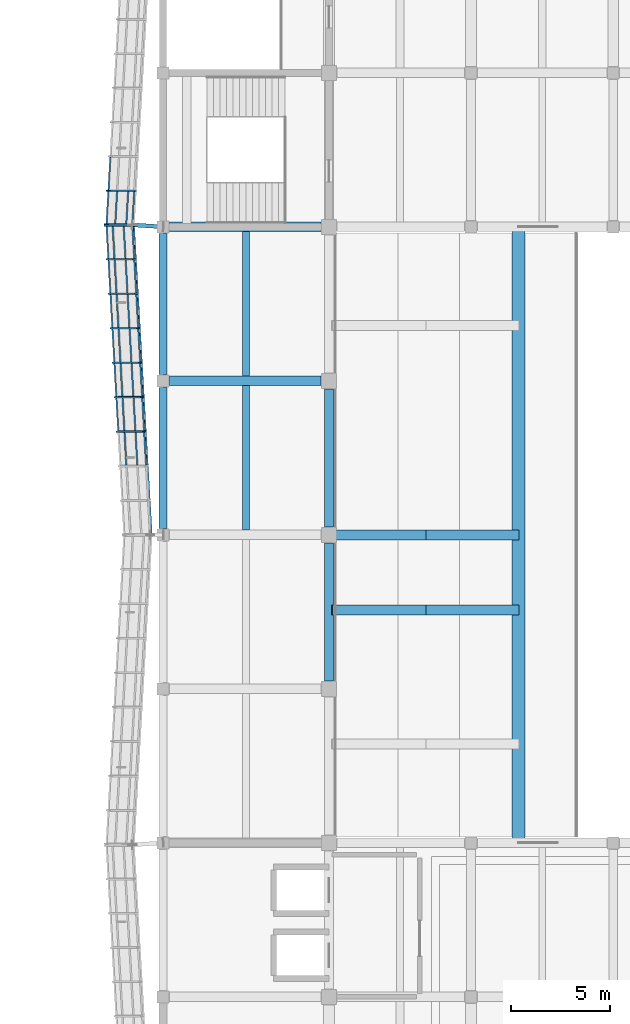
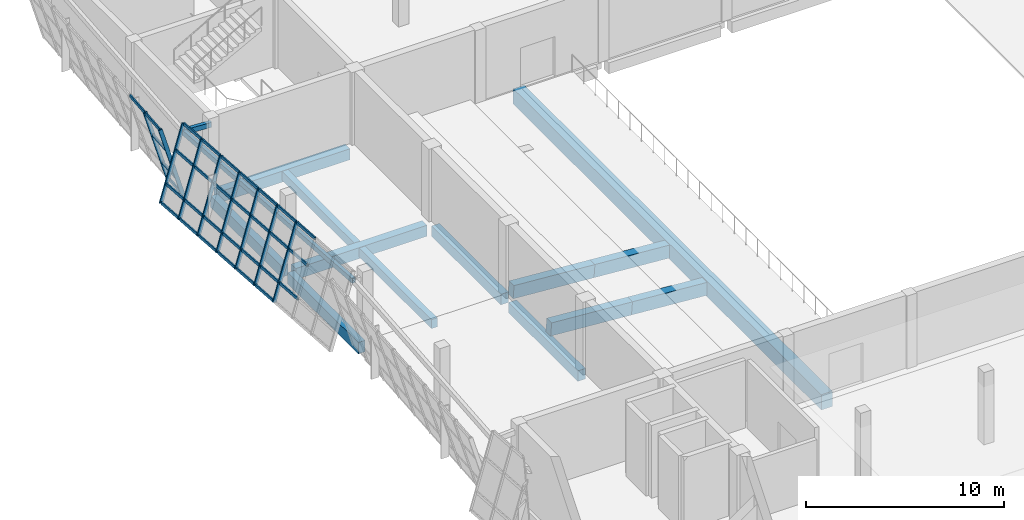
# One storey, part 13 of 71: 41 members, 15 beams, 2 elements without a shape of their own.
"""IFC4 building model written with IfcOpenShell, lengths in metres."""

from ifc_helpers import new_model, si_unit, direction, frame, origin, origin_2d, place, context, subcontext, project, spatial, rectangle, hollow_rectangle, extrude, material, material_profile, profile_set, type_object, element, aggregate, save


model = new_model("IFC4")

# Units and contexts
model_context = context("Model", 3, precision=1e-05, world=origin(), true_north=direction((0.0, 1.0)))
body_context = subcontext(model_context, "Body", "Model", "MODEL_VIEW")
ifc_project = project(units=[si_unit("LENGTHUNIT", "METRE"), si_unit("AREAUNIT", "SQUARE_METRE"), si_unit("VOLUMEUNIT", "CUBIC_METRE"), si_unit("PLANEANGLEUNIT", "RADIAN"), si_unit("MASSUNIT", "GRAM", prefix="KILO")], contexts=[model_context])

# Site, building, storey
site_placement = place(None, origin())
site = spatial("IfcSite", under=ifc_project, at=site_placement, CompositionType="ELEMENT")
building_placement = place(site_placement, origin())
building = spatial("IfcBuilding", under=site, at=building_placement, Name="Pellamere Symphony Hall", CompositionType="ELEMENT")
storey_placement = place(building_placement, frame((0.0, 0.0, 15.0)))
storey = spatial("IfcBuildingStorey", under=building, at=storey_placement, Name="L03", CompositionType="ELEMENT", Elevation=15.0)

# Curtain wall, members
ifc_material_1 = material(Name="Thermally Broken Anodised Aluminium 6063-T6 Curtain Wall", Category="aluminium")
curtain_wall_type = type_object("IfcCurtainWallType", Name="Curtain Wall CW-01 (Tilted Faceted Crystal Low-Iron Curtain Wall)", PredefinedType="NOTDEFINED", material=ifc_material_1)
curtain_wall_1_placement = place(storey_placement, origin())
curtain_wall_1 = element("IfcCurtainWall", 1, at=curtain_wall_1_placement, inside=storey, type_object=curtain_wall_type, Name="Crystal Faceted Curtain Wall CW-CR15 (L03)", PredefinedType="NOTDEFINED")
ifc_material_2 = material(Name="Anodised Architectural Aluminium 6063-T6", Category="aluminium")
ifc_material_profile_1 = material_profile(ifc_material_2, hollow_rectangle(XDim=0.074951171875, YDim=0.219970703125, WallThickness=0.0048828125, at=origin_2d()), Name="ALU-M75X220X5")
ifc_profile_set_1 = profile_set([ifc_material_profile_1], Name="Anodised Architectural Aluminium 6063-T6")
member_type_1 = type_object("IfcMemberType", Name="Curtain Wall Mullion ML-01 ALU-M75X220X5", PredefinedType="MULLION", material=ifc_profile_set_1)
member_1_placement = place(storey_placement, frame((48.949951171875, 79.2333984375, 0.0), z_axis=(-0.284024567884, 0.0, 0.95881700279), x_axis=(-0.055224537145, -0.998339941676, -0.01635883099)))
member_1 = element("IfcMember", 2, at=member_1_placement, type_object=member_type_1, Name="CW1-040 crystal mullion 9", PredefinedType="MULLION", context=body_context, shape_type="SweptSolid", body=[
    extrude(hollow_rectangle(XDim=0.074951171875, YDim=0.219970703125, WallThickness=0.0048828125, at=origin_2d()), origin(), (0.0, 0.0, 1.0), 4.693359375),
])
member_2_placement = place(storey_placement, frame((48.85205078125, 77.537353515625, 0.0), z_axis=(-0.284024567884, 0.0, 0.95881700279), x_axis=(-0.055224537145, -0.998339941676, -0.01635883099)))
member_2 = element("IfcMember", 3, at=member_2_placement, type_object=member_type_1, Name="CW1-040 crystal mullion 10", PredefinedType="MULLION", context=body_context, shape_type="SweptSolid", body=[
    extrude(hollow_rectangle(XDim=0.074951171875, YDim=0.219970703125, WallThickness=0.0048828125, at=origin_2d()), origin(), (0.0, 0.0, 1.0), 4.693359375),
])

curtain_wall_2_placement = place(storey_placement, origin())
curtain_wall_2 = element("IfcCurtainWall", 4, at=curtain_wall_2_placement, inside=storey, type_object=curtain_wall_type, Name="Crystal Faceted Curtain Wall CW-CR16 (L03)", PredefinedType="NOTDEFINED")
member_3_placement = place(storey_placement, frame((47.51904296875, 77.462646484375, 0.0), z_axis=(0.284024567884, 0.0, 0.95881700279), x_axis=(-0.054873944304, 0.99836096977, 0.016254976991)))
member_3 = element("IfcMember", 5, at=member_3_placement, type_object=member_type_1, Name="CW1-045 crystal mullion 1", PredefinedType="MULLION", context=body_context, shape_type="SweptSolid", body=[
    extrude(hollow_rectangle(XDim=0.074951171875, YDim=0.219970703125, WallThickness=0.0048828125, at=origin_2d()), origin(), (0.0, 0.0, 1.0), 4.693359375),
])
member_4_placement = place(storey_placement, frame((47.616943359375, 75.755615234375, 0.0), z_axis=(0.284024567884, 0.0, 0.95881700279), x_axis=(-0.054873944304, 0.99836096977, 0.016254976991)))
member_4 = element("IfcMember", 6, at=member_4_placement, type_object=member_type_1, Name="CW1-045 crystal mullion 2", PredefinedType="MULLION", context=body_context, shape_type="SweptSolid", body=[
    extrude(hollow_rectangle(XDim=0.074951171875, YDim=0.219970703125, WallThickness=0.0048828125, at=origin_2d()), origin(), (0.0, 0.0, 1.0), 4.693359375),
])
member_5_placement = place(storey_placement, frame((47.717041015625, 74.01123046875, 0.0), z_axis=(0.284024567884, 0.0, 0.95881700279), x_axis=(-0.054873944304, 0.99836096977, 0.016254976991)))
member_5 = element("IfcMember", 7, at=member_5_placement, type_object=member_type_1, Name="CW1-045 crystal mullion 3", PredefinedType="MULLION", context=body_context, shape_type="SweptSolid", body=[
    extrude(hollow_rectangle(XDim=0.074951171875, YDim=0.219970703125, WallThickness=0.0048828125, at=origin_2d()), origin(), (0.0, 0.0, 1.0), 4.693359375),
])
member_6_placement = place(storey_placement, frame((47.81689453125, 72.2666015625, 0.0), z_axis=(0.284024567884, 0.0, 0.95881700279), x_axis=(-0.054873944304, 0.99836096977, 0.016254976991)))
member_6 = element("IfcMember", 8, at=member_6_placement, type_object=member_type_1, Name="CW1-045 crystal mullion 4", PredefinedType="MULLION", context=body_context, shape_type="SweptSolid", body=[
    extrude(hollow_rectangle(XDim=0.074951171875, YDim=0.219970703125, WallThickness=0.0048828125, at=origin_2d()), origin(), (0.0, 0.0, 1.0), 4.693359375),
])
member_7_placement = place(storey_placement, frame((47.9169921875, 70.522216796875, 0.0), z_axis=(0.284024567884, 0.0, 0.95881700279), x_axis=(-0.054873944304, 0.99836096977, 0.016254976991)))
member_7 = element("IfcMember", 9, at=member_7_placement, type_object=member_type_1, Name="CW1-045 crystal mullion 5", PredefinedType="MULLION", context=body_context, shape_type="SweptSolid", body=[
    extrude(hollow_rectangle(XDim=0.074951171875, YDim=0.219970703125, WallThickness=0.0048828125, at=origin_2d()), origin(), (0.0, 0.0, 1.0), 4.693359375),
])
member_8_placement = place(storey_placement, frame((48.01708984375, 68.77783203125, 0.0), z_axis=(0.284024567884, 0.0, 0.95881700279), x_axis=(-0.054873944304, 0.99836096977, 0.016254976991)))
member_8 = element("IfcMember", 10, at=member_8_placement, type_object=member_type_1, Name="CW1-045 crystal mullion 6", PredefinedType="MULLION", context=body_context, shape_type="SweptSolid", body=[
    extrude(hollow_rectangle(XDim=0.074951171875, YDim=0.219970703125, WallThickness=0.0048828125, at=origin_2d()), origin(), (0.0, 0.0, 1.0), 4.693359375),
])
member_9_placement = place(storey_placement, frame((48.116943359375, 67.033447265625, 0.0), z_axis=(0.284024567884, 0.0, 0.95881700279), x_axis=(-0.054873944304, 0.99836096977, 0.016254976991)))
member_9 = element("IfcMember", 11, at=member_9_placement, type_object=member_type_1, Name="CW1-045 crystal mullion 7", PredefinedType="MULLION", context=body_context, shape_type="SweptSolid", body=[
    extrude(hollow_rectangle(XDim=0.074951171875, YDim=0.219970703125, WallThickness=0.0048828125, at=origin_2d()), origin(), (0.0, 0.0, 1.0), 4.693359375),
])

# Member
ifc_material_profile_2 = material_profile(ifc_material_2, hollow_rectangle(XDim=0.074951171875, YDim=0.179931640625, WallThickness=0.0048828125, at=origin_2d()), Name="ALU-T75X180X5")
ifc_profile_set_2 = profile_set([ifc_material_profile_2], Name="Anodised Architectural Aluminium 6063-T6")
member_type_2 = type_object("IfcMemberType", Name="Curtain Wall Transom TR-01 ALU-T75X180X5", PredefinedType="USERDEFINED", material=ifc_profile_set_2)
member_10_placement = place(storey_placement, frame((47.7255859375, 80.92919921875, 4.464111328125), z_axis=(-0.057610619545, -0.998339129012, 0.0), x_axis=(0.998339129012, -0.057610619545, 0.0)))
member_10 = element("IfcMember", 12, at=member_10_placement, type_object=member_type_2, Name="CW1-040 crystal transom 8.4", ObjectType="TRANSOM", PredefinedType="USERDEFINED", context=body_context, shape_type="SweptSolid", body=[
    extrude(hollow_rectangle(XDim=0.074951171875, YDim=0.179931640625, WallThickness=0.0048828125, at=origin_2d()), origin(), (0.0, 0.0, 1.0), 1.6611328125),
])

member_11_placement = place(storey_placement, frame((48.937255859375, 79.19580078125, 0.035888671875), z_axis=(-0.057593652861, -0.998340107954, 0.0), x_axis=(0.998340107954, -0.057593652861, 0.0)))
member_11 = element("IfcMember", 13, at=member_11_placement, type_object=member_type_2, Name="CW1-040 crystal transom 9.1", ObjectType="TRANSOM", PredefinedType="USERDEFINED", context=body_context, shape_type="SweptSolid", body=[
    extrude(hollow_rectangle(XDim=0.074951171875, YDim=0.179931640625, WallThickness=0.0048828125, at=origin_2d()), origin(), (0.0, 0.0, 1.0), 1.62353515625),
])

member_12_placement = place(storey_placement, frame((48.6279296875, 79.19580078125, 1.080078125), z_axis=(-0.057593652861, -0.998340107954, 0.0), x_axis=(0.998340107954, -0.057593652861, 0.0)))
member_12 = element("IfcMember", 14, at=member_12_placement, type_object=member_type_2, Name="CW1-040 crystal transom 9.2", ObjectType="TRANSOM", PredefinedType="USERDEFINED", context=body_context, shape_type="SweptSolid", body=[
    extrude(hollow_rectangle(XDim=0.074951171875, YDim=0.179931640625, WallThickness=0.0048828125, at=origin_2d()), origin(), (0.0, 0.0, 1.0), 1.62353515625),
])

member_13_placement = place(storey_placement, frame((48.068115234375, 79.19580078125, 2.969970703125), z_axis=(-0.057593652861, -0.998340107954, 0.0), x_axis=(0.998340107954, -0.057593652861, 0.0)))
member_13 = element("IfcMember", 15, at=member_13_placement, type_object=member_type_2, Name="CW1-040 crystal transom 9.3", ObjectType="TRANSOM", PredefinedType="USERDEFINED", context=body_context, shape_type="SweptSolid", body=[
    extrude(hollow_rectangle(XDim=0.074951171875, YDim=0.179931640625, WallThickness=0.0048828125, at=origin_2d()), origin(), (0.0, 0.0, 1.0), 1.62353515625),
])

member_14_placement = place(storey_placement, frame((47.62548828125, 79.19580078125, 4.464111328125), z_axis=(-0.057593652861, -0.998340107954, 0.0), x_axis=(0.998340107954, -0.057593652861, 0.0)))
member_14 = element("IfcMember", 16, at=member_14_placement, type_object=member_type_2, Name="CW1-040 crystal transom 9.4", ObjectType="TRANSOM", PredefinedType="USERDEFINED", context=body_context, shape_type="SweptSolid", body=[
    extrude(hollow_rectangle(XDim=0.074951171875, YDim=0.179931640625, WallThickness=0.0048828125, at=origin_2d()), origin(), (0.0, 0.0, 1.0), 1.62353515625),
])

aggregate(curtain_wall_1, [member_1, member_2, member_10, member_11, member_12, member_13, member_14])

member_15_placement = place(storey_placement, frame((47.531982421875, 77.425048828125, 0.035888671875), z_axis=(0.057198647566, -0.998362817175, 0.0), x_axis=(0.998362817175, 0.057198647566, 0.0)))
member_15 = element("IfcMember", 17, at=member_15_placement, type_object=member_type_2, Name="CW1-045 crystal transom 1.1", ObjectType="TRANSOM", PredefinedType="USERDEFINED", context=body_context, shape_type="SweptSolid", body=[
    extrude(hollow_rectangle(XDim=0.074951171875, YDim=0.179931640625, WallThickness=0.0048828125, at=origin_2d()), origin(), (0.0, 0.0, 1.0), 1.634765625),
])

member_16_placement = place(storey_placement, frame((47.84130859375, 77.425048828125, 1.080078125), z_axis=(0.057198647566, -0.998362817175, 0.0), x_axis=(0.998362817175, 0.057198647566, 0.0)))
member_16 = element("IfcMember", 18, at=member_16_placement, type_object=member_type_2, Name="CW1-045 crystal transom 1.2", ObjectType="TRANSOM", PredefinedType="USERDEFINED", context=body_context, shape_type="SweptSolid", body=[
    extrude(hollow_rectangle(XDim=0.074951171875, YDim=0.179931640625, WallThickness=0.0048828125, at=origin_2d()), origin(), (0.0, 0.0, 1.0), 1.634765625),
])

member_17_placement = place(storey_placement, frame((48.401123046875, 77.425048828125, 2.969970703125), z_axis=(0.057198647566, -0.998362817175, 0.0), x_axis=(0.998362817175, 0.057198647566, 0.0)))
member_17 = element("IfcMember", 19, at=member_17_placement, type_object=member_type_2, Name="CW1-045 crystal transom 1.3", ObjectType="TRANSOM", PredefinedType="USERDEFINED", context=body_context, shape_type="SweptSolid", body=[
    extrude(hollow_rectangle(XDim=0.074951171875, YDim=0.179931640625, WallThickness=0.0048828125, at=origin_2d()), origin(), (0.0, 0.0, 1.0), 1.634765625),
])

member_18_placement = place(storey_placement, frame((48.84375, 77.425048828125, 4.464111328125), z_axis=(0.057198647566, -0.998362817175, 0.0), x_axis=(0.998362817175, 0.057198647566, 0.0)))
member_18 = element("IfcMember", 20, at=member_18_placement, type_object=member_type_2, Name="CW1-045 crystal transom 1.4", ObjectType="TRANSOM", PredefinedType="USERDEFINED", context=body_context, shape_type="SweptSolid", body=[
    extrude(hollow_rectangle(XDim=0.074951171875, YDim=0.179931640625, WallThickness=0.0048828125, at=origin_2d()), origin(), (0.0, 0.0, 1.0), 1.634765625),
])

member_19_placement = place(storey_placement, frame((47.6298828125, 75.718017578125, 0.035888671875), z_axis=(0.057232737422, -0.998360863499, 0.0), x_axis=(0.998360863499, 0.057232737422, 0.0)))
member_19 = element("IfcMember", 21, at=member_19_placement, type_object=member_type_2, Name="CW1-045 crystal transom 2.1", ObjectType="TRANSOM", PredefinedType="USERDEFINED", context=body_context, shape_type="SweptSolid", body=[
    extrude(hollow_rectangle(XDim=0.074951171875, YDim=0.179931640625, WallThickness=0.0048828125, at=origin_2d()), origin(), (0.0, 0.0, 1.0), 1.672119140625),
])

member_20_placement = place(storey_placement, frame((47.93896484375, 75.718017578125, 1.080078125), z_axis=(0.057232737422, -0.998360863499, 0.0), x_axis=(0.998360863499, 0.057232737422, 0.0)))
member_20 = element("IfcMember", 22, at=member_20_placement, type_object=member_type_2, Name="CW1-045 crystal transom 2.2", ObjectType="TRANSOM", PredefinedType="USERDEFINED", context=body_context, shape_type="SweptSolid", body=[
    extrude(hollow_rectangle(XDim=0.074951171875, YDim=0.179931640625, WallThickness=0.0048828125, at=origin_2d()), origin(), (0.0, 0.0, 1.0), 1.672119140625),
])

member_21_placement = place(storey_placement, frame((48.4990234375, 75.718017578125, 2.969970703125), z_axis=(0.057232737422, -0.998360863499, 0.0), x_axis=(0.998360863499, 0.057232737422, 0.0)))
member_21 = element("IfcMember", 23, at=member_21_placement, type_object=member_type_2, Name="CW1-045 crystal transom 2.3", ObjectType="TRANSOM", PredefinedType="USERDEFINED", context=body_context, shape_type="SweptSolid", body=[
    extrude(hollow_rectangle(XDim=0.074951171875, YDim=0.179931640625, WallThickness=0.0048828125, at=origin_2d()), origin(), (0.0, 0.0, 1.0), 1.672119140625),
])

member_22_placement = place(storey_placement, frame((48.94140625, 75.718017578125, 4.464111328125), z_axis=(0.057232737422, -0.998360863499, 0.0), x_axis=(0.998360863499, 0.057232737422, 0.0)))
member_22 = element("IfcMember", 24, at=member_22_placement, type_object=member_type_2, Name="CW1-045 crystal transom 2.4", ObjectType="TRANSOM", PredefinedType="USERDEFINED", context=body_context, shape_type="SweptSolid", body=[
    extrude(hollow_rectangle(XDim=0.074951171875, YDim=0.179931640625, WallThickness=0.0048828125, at=origin_2d()), origin(), (0.0, 0.0, 1.0), 1.672119140625),
])

member_23_placement = place(storey_placement, frame((47.729736328125, 73.9736328125, 0.035888671875), z_axis=(0.057232737422, -0.998360863499, 0.0), x_axis=(0.998360863499, 0.057232737422, 0.0)))
member_23 = element("IfcMember", 25, at=member_23_placement, type_object=member_type_2, Name="CW1-045 crystal transom 3.1", ObjectType="TRANSOM", PredefinedType="USERDEFINED", context=body_context, shape_type="SweptSolid", body=[
    extrude(hollow_rectangle(XDim=0.074951171875, YDim=0.179931640625, WallThickness=0.0048828125, at=origin_2d()), origin(), (0.0, 0.0, 1.0), 1.672119140625),
])

member_24_placement = place(storey_placement, frame((48.0390625, 73.9736328125, 1.080078125), z_axis=(0.057232737422, -0.998360863499, 0.0), x_axis=(0.998360863499, 0.057232737422, 0.0)))
member_24 = element("IfcMember", 26, at=member_24_placement, type_object=member_type_2, Name="CW1-045 crystal transom 3.2", ObjectType="TRANSOM", PredefinedType="USERDEFINED", context=body_context, shape_type="SweptSolid", body=[
    extrude(hollow_rectangle(XDim=0.074951171875, YDim=0.179931640625, WallThickness=0.0048828125, at=origin_2d()), origin(), (0.0, 0.0, 1.0), 1.672119140625),
])

member_25_placement = place(storey_placement, frame((48.598876953125, 73.9736328125, 2.969970703125), z_axis=(0.057232737422, -0.998360863499, 0.0), x_axis=(0.998360863499, 0.057232737422, 0.0)))
member_25 = element("IfcMember", 27, at=member_25_placement, type_object=member_type_2, Name="CW1-045 crystal transom 3.3", ObjectType="TRANSOM", PredefinedType="USERDEFINED", context=body_context, shape_type="SweptSolid", body=[
    extrude(hollow_rectangle(XDim=0.074951171875, YDim=0.179931640625, WallThickness=0.0048828125, at=origin_2d()), origin(), (0.0, 0.0, 1.0), 1.672119140625),
])

member_26_placement = place(storey_placement, frame((49.04150390625, 73.9736328125, 4.464111328125), z_axis=(0.057232737422, -0.998360863499, 0.0), x_axis=(0.998360863499, 0.057232737422, 0.0)))
member_26 = element("IfcMember", 28, at=member_26_placement, type_object=member_type_2, Name="CW1-045 crystal transom 3.4", ObjectType="TRANSOM", PredefinedType="USERDEFINED", context=body_context, shape_type="SweptSolid", body=[
    extrude(hollow_rectangle(XDim=0.074951171875, YDim=0.179931640625, WallThickness=0.0048828125, at=origin_2d()), origin(), (0.0, 0.0, 1.0), 1.672119140625),
])

member_27_placement = place(storey_placement, frame((47.829833984375, 72.229248046875, 0.035888671875), z_axis=(0.057224396245, -0.998361341637, 0.0), x_axis=(0.998361341637, 0.057224396245, 0.0)))
member_27 = element("IfcMember", 29, at=member_27_placement, type_object=member_type_2, Name="CW1-045 crystal transom 4.1", ObjectType="TRANSOM", PredefinedType="USERDEFINED", context=body_context, shape_type="SweptSolid", body=[
    extrude(hollow_rectangle(XDim=0.074951171875, YDim=0.179931640625, WallThickness=0.0048828125, at=origin_2d()), origin(), (0.0, 0.0, 1.0), 1.67236328125),
])

member_28_placement = place(storey_placement, frame((48.13916015625, 72.229248046875, 1.080078125), z_axis=(0.057224396245, -0.998361341637, 0.0), x_axis=(0.998361341637, 0.057224396245, 0.0)))
member_28 = element("IfcMember", 30, at=member_28_placement, type_object=member_type_2, Name="CW1-045 crystal transom 4.2", ObjectType="TRANSOM", PredefinedType="USERDEFINED", context=body_context, shape_type="SweptSolid", body=[
    extrude(hollow_rectangle(XDim=0.074951171875, YDim=0.179931640625, WallThickness=0.0048828125, at=origin_2d()), origin(), (0.0, 0.0, 1.0), 1.67236328125),
])

member_29_placement = place(storey_placement, frame((48.698974609375, 72.229248046875, 2.969970703125), z_axis=(0.057224396245, -0.998361341637, 0.0), x_axis=(0.998361341637, 0.057224396245, 0.0)))
member_29 = element("IfcMember", 31, at=member_29_placement, type_object=member_type_2, Name="CW1-045 crystal transom 4.3", ObjectType="TRANSOM", PredefinedType="USERDEFINED", context=body_context, shape_type="SweptSolid", body=[
    extrude(hollow_rectangle(XDim=0.074951171875, YDim=0.179931640625, WallThickness=0.0048828125, at=origin_2d()), origin(), (0.0, 0.0, 1.0), 1.67236328125),
])

member_30_placement = place(storey_placement, frame((49.1416015625, 72.229248046875, 4.464111328125), z_axis=(0.057224396245, -0.998361341637, 0.0), x_axis=(0.998361341637, 0.057224396245, 0.0)))
member_30 = element("IfcMember", 32, at=member_30_placement, type_object=member_type_2, Name="CW1-045 crystal transom 4.4", ObjectType="TRANSOM", PredefinedType="USERDEFINED", context=body_context, shape_type="SweptSolid", body=[
    extrude(hollow_rectangle(XDim=0.074951171875, YDim=0.179931640625, WallThickness=0.0048828125, at=origin_2d()), origin(), (0.0, 0.0, 1.0), 1.67236328125),
])

member_31_placement = place(storey_placement, frame((47.9296875, 70.48486328125, 0.035888671875), z_axis=(0.057224396245, -0.998361341637, 0.0), x_axis=(0.998361341637, 0.057224396245, 0.0)))
member_31 = element("IfcMember", 33, at=member_31_placement, type_object=member_type_2, Name="CW1-045 crystal transom 5.1", ObjectType="TRANSOM", PredefinedType="USERDEFINED", context=body_context, shape_type="SweptSolid", body=[
    extrude(hollow_rectangle(XDim=0.074951171875, YDim=0.179931640625, WallThickness=0.0048828125, at=origin_2d()), origin(), (0.0, 0.0, 1.0), 1.67236328125),
])

member_32_placement = place(storey_placement, frame((48.239013671875, 70.48486328125, 1.080078125), z_axis=(0.057224396245, -0.998361341637, 0.0), x_axis=(0.998361341637, 0.057224396245, 0.0)))
member_32 = element("IfcMember", 34, at=member_32_placement, type_object=member_type_2, Name="CW1-045 crystal transom 5.2", ObjectType="TRANSOM", PredefinedType="USERDEFINED", context=body_context, shape_type="SweptSolid", body=[
    extrude(hollow_rectangle(XDim=0.074951171875, YDim=0.179931640625, WallThickness=0.0048828125, at=origin_2d()), origin(), (0.0, 0.0, 1.0), 1.67236328125),
])

member_33_placement = place(storey_placement, frame((48.798828125, 70.48486328125, 2.969970703125), z_axis=(0.057224396245, -0.998361341637, 0.0), x_axis=(0.998361341637, 0.057224396245, 0.0)))
member_33 = element("IfcMember", 35, at=member_33_placement, type_object=member_type_2, Name="CW1-045 crystal transom 5.3", ObjectType="TRANSOM", PredefinedType="USERDEFINED", context=body_context, shape_type="SweptSolid", body=[
    extrude(hollow_rectangle(XDim=0.074951171875, YDim=0.179931640625, WallThickness=0.0048828125, at=origin_2d()), origin(), (0.0, 0.0, 1.0), 1.67236328125),
])

member_34_placement = place(storey_placement, frame((49.241455078125, 70.48486328125, 4.464111328125), z_axis=(0.057224396245, -0.998361341637, 0.0), x_axis=(0.998361341637, 0.057224396245, 0.0)))
member_34 = element("IfcMember", 36, at=member_34_placement, type_object=member_type_2, Name="CW1-045 crystal transom 5.4", ObjectType="TRANSOM", PredefinedType="USERDEFINED", context=body_context, shape_type="SweptSolid", body=[
    extrude(hollow_rectangle(XDim=0.074951171875, YDim=0.179931640625, WallThickness=0.0048828125, at=origin_2d()), origin(), (0.0, 0.0, 1.0), 1.67236328125),
])

member_35_placement = place(storey_placement, frame((48.02978515625, 68.740234375, 0.035888671875), z_axis=(0.057232737422, -0.998360863499, 0.0), x_axis=(0.998360863499, 0.057232737422, 0.0)))
member_35 = element("IfcMember", 37, at=member_35_placement, type_object=member_type_2, Name="CW1-045 crystal transom 6.1", ObjectType="TRANSOM", PredefinedType="USERDEFINED", context=body_context, shape_type="SweptSolid", body=[
    extrude(hollow_rectangle(XDim=0.074951171875, YDim=0.179931640625, WallThickness=0.0048828125, at=origin_2d()), origin(), (0.0, 0.0, 1.0), 1.672119140625),
])

member_36_placement = place(storey_placement, frame((48.339111328125, 68.740234375, 1.080078125), z_axis=(0.057232737422, -0.998360863499, 0.0), x_axis=(0.998360863499, 0.057232737422, 0.0)))
member_36 = element("IfcMember", 38, at=member_36_placement, type_object=member_type_2, Name="CW1-045 crystal transom 6.2", ObjectType="TRANSOM", PredefinedType="USERDEFINED", context=body_context, shape_type="SweptSolid", body=[
    extrude(hollow_rectangle(XDim=0.074951171875, YDim=0.179931640625, WallThickness=0.0048828125, at=origin_2d()), origin(), (0.0, 0.0, 1.0), 1.672119140625),
])

member_37_placement = place(storey_placement, frame((48.89892578125, 68.740234375, 2.969970703125), z_axis=(0.057232737422, -0.998360863499, 0.0), x_axis=(0.998360863499, 0.057232737422, 0.0)))
member_37 = element("IfcMember", 39, at=member_37_placement, type_object=member_type_2, Name="CW1-045 crystal transom 6.3", ObjectType="TRANSOM", PredefinedType="USERDEFINED", context=body_context, shape_type="SweptSolid", body=[
    extrude(hollow_rectangle(XDim=0.074951171875, YDim=0.179931640625, WallThickness=0.0048828125, at=origin_2d()), origin(), (0.0, 0.0, 1.0), 1.672119140625),
])

member_38_placement = place(storey_placement, frame((49.341552734375, 68.740234375, 4.464111328125), z_axis=(0.057232737422, -0.998360863499, 0.0), x_axis=(0.998360863499, 0.057232737422, 0.0)))
member_38 = element("IfcMember", 40, at=member_38_placement, type_object=member_type_2, Name="CW1-045 crystal transom 6.4", ObjectType="TRANSOM", PredefinedType="USERDEFINED", context=body_context, shape_type="SweptSolid", body=[
    extrude(hollow_rectangle(XDim=0.074951171875, YDim=0.179931640625, WallThickness=0.0048828125, at=origin_2d()), origin(), (0.0, 0.0, 1.0), 1.672119140625),
])

member_39_placement = place(storey_placement, frame((48.43896484375, 66.995849609375, 1.080078125), z_axis=(0.057232737422, -0.998360863499, 0.0), x_axis=(0.998360863499, 0.057232737422, 0.0)))
member_39 = element("IfcMember", 41, at=member_39_placement, type_object=member_type_2, Name="CW1-045 crystal transom 7.2", ObjectType="TRANSOM", PredefinedType="USERDEFINED", context=body_context, shape_type="SweptSolid", body=[
    extrude(hollow_rectangle(XDim=0.074951171875, YDim=0.179931640625, WallThickness=0.0048828125, at=origin_2d()), origin(), (0.0, 0.0, 1.0), 1.672119140625),
])

member_40_placement = place(storey_placement, frame((48.9990234375, 66.995849609375, 2.969970703125), z_axis=(0.057232737422, -0.998360863499, 0.0), x_axis=(0.998360863499, 0.057232737422, 0.0)))
member_40 = element("IfcMember", 42, at=member_40_placement, type_object=member_type_2, Name="CW1-045 crystal transom 7.3", ObjectType="TRANSOM", PredefinedType="USERDEFINED", context=body_context, shape_type="SweptSolid", body=[
    extrude(hollow_rectangle(XDim=0.074951171875, YDim=0.179931640625, WallThickness=0.0048828125, at=origin_2d()), origin(), (0.0, 0.0, 1.0), 1.672119140625),
])

member_41_placement = place(storey_placement, frame((49.44140625, 66.995849609375, 4.464111328125), z_axis=(0.057232737422, -0.998360863499, 0.0), x_axis=(0.998360863499, 0.057232737422, 0.0)))
member_41 = element("IfcMember", 43, at=member_41_placement, type_object=member_type_2, Name="CW1-045 crystal transom 7.4", ObjectType="TRANSOM", PredefinedType="USERDEFINED", context=body_context, shape_type="SweptSolid", body=[
    extrude(hollow_rectangle(XDim=0.074951171875, YDim=0.179931640625, WallThickness=0.0048828125, at=origin_2d()), origin(), (0.0, 0.0, 1.0), 1.672119140625),
])

aggregate(curtain_wall_2, [member_3, member_4, member_5, member_6, member_7, member_8, member_9, member_15, member_16, member_17, member_18, member_19, member_20, member_21, member_22, member_23, member_24, member_25, member_26, member_27, member_28, member_29, member_30, member_31, member_32, member_33, member_34, member_35, member_36, member_37, member_38, member_39, member_40, member_41])

# Beams
ifc_material_3 = material(Name="Concrete 40 MPa", Category="concrete")
ifc_material_profile_3 = material_profile(ifc_material_3, rectangle(XDim=0.64990234375, YDim=0.949951171875, at=origin_2d()), Name="RC 650x950")
ifc_profile_set_3 = profile_set([ifc_material_profile_3], Name="Concrete 40 MPa")
beam_type_1 = type_object("IfcBeamType", Name="RC CB-03 650x950", PredefinedType="BEAM", material=ifc_profile_set_3)
beam_1_placement = place(storey_placement, frame((68.39990234375, 46.199951171875, -0.56005859375), z_axis=(0.0, 1.0, 0.0), x_axis=(-1.0, 0.0, 0.0)))
element("IfcBeam", 44, at=beam_1_placement, inside=storey, type_object=beam_type_1, Name="Stand Choir and Acoustic Gallery Raker Support Girder 52", PredefinedType="BEAM", context=body_context, shape_type="SweptSolid", body=[
    extrude(rectangle(XDim=0.64990234375, YDim=0.949951171875, at=origin_2d()), origin(), (0.0, 0.0, 1.0), 31.199951171875),
])
ifc_material_profile_4 = material_profile(ifc_material_3, rectangle(XDim=0.449951171875, YDim=0.64990234375, at=origin_2d()), Name="RC 450x650")
ifc_profile_set_4 = profile_set([ifc_material_profile_4], Name="Concrete 40 MPa")
beam_type_2 = type_object("IfcBeamType", Name="RC CB-08 450x650", PredefinedType="BEAM", material=ifc_profile_set_4)
for number, where, z_axis, x_axis, name in (
    (45, (58.800048828125, 54.39990234375, -0.5849609375), (0.0, 1.0, 0.0), (-1.0, 0.0, 0.0), "Girder CB-08-Y1616 (L03)"),
    (46, (58.800048828125, 62.199951171875, -0.5849609375), (0.0, 1.0, 0.0), (-1.0, 0.0, 0.0), "Girder CB-08-Y1617 (L03)"),
):
    element("IfcBeam", number, at=place(storey_placement, frame(where, z_axis=z_axis, x_axis=x_axis)), inside=storey, type_object=beam_type_2, Name=name, PredefinedType="BEAM", context=body_context, shape_type="SweptSolid", body=[
        extrude(rectangle(XDim=0.449951171875, YDim=0.64990234375, at=origin_2d()), origin(), (0.0, 0.0, 1.0), 7.0),
    ])
ifc_material_4 = material(Name="Concrete 35 MPa", Category="concrete")
ifc_material_profile_5 = material_profile(ifc_material_4, rectangle(XDim=0.35009765625, YDim=0.550048828125, at=origin_2d()), Name="RC 350x550")
ifc_profile_set_5 = profile_set([ifc_material_profile_5], Name="Concrete 35 MPa")
beam_type_3 = type_object("IfcBeamType", Name="RC CB-10 350x550", PredefinedType="BEAM", material=ifc_profile_set_5)
beam_2_placement = place(storey_placement, frame((54.60009765625, 62.0400390625, -0.550048828125), z_axis=(0.0, 1.0, 0.0), x_axis=(-1.0, 0.0, 0.0)))
element("IfcBeam", 47, at=beam_2_placement, inside=storey, type_object=beam_type_3, Name="Secondary Floor Beam CB-10-M0608 (L03)", PredefinedType="BEAM", context=body_context, shape_type="SweptSolid", body=[
    extrude(rectangle(XDim=0.35009765625, YDim=0.550048828125, at=origin_2d()), origin(), (0.0, 0.0, 1.0), 7.320068359375),
])
beam_3_placement = place(storey_placement, frame((54.60009765625, 69.840087890625, -0.550048828125), z_axis=(0.0, 1.0, 0.0), x_axis=(-1.0, 0.0, 0.0)))
element("IfcBeam", 48, at=beam_3_placement, inside=storey, type_object=beam_type_3, Name="Secondary Floor Beam CB-10-M0609 (L03)", PredefinedType="BEAM", context=body_context, shape_type="SweptSolid", body=[
    extrude(rectangle(XDim=0.35009765625, YDim=0.550048828125, at=origin_2d()), origin(), (0.0, 0.0, 1.0), 7.31982421875),
])
ifc_material_profile_6 = material_profile(ifc_material_3, rectangle(XDim=0.39990234375, YDim=0.699951171875, at=origin_2d()), Name="RC 400x700")
ifc_profile_set_6 = profile_set([ifc_material_profile_6], Name="Concrete 40 MPa")
beam_type_4 = type_object("IfcBeamType", Name="RC CB-13 400x700", PredefinedType="SPANDREL", material=ifc_profile_set_6)
for number, where, z_axis, x_axis, name in (
    (49, (50.39990234375, 62.125, -0.610107421875), (0.0, 1.0, 0.0), (-1.0, 0.0, 0.0), "Girder CB-13-Y1610 (L03)"),
    (50, (50.39990234375, 69.925048828125, -0.610107421875), (0.0, 1.0, 0.0), (-1.0, 0.0, 0.0), "Girder CB-13-Y1611 (L03)"),
):
    element("IfcBeam", number, at=place(storey_placement, frame(where, z_axis=z_axis, x_axis=x_axis)), inside=storey, type_object=beam_type_4, Name=name, PredefinedType="SPANDREL", context=body_context, shape_type="SweptSolid", body=[
        extrude(rectangle(XDim=0.39990234375, YDim=0.699951171875, at=origin_2d()), origin(), (0.0, 0.0, 1.0), 7.14990234375),
    ])
ifc_material_profile_7 = material_profile(ifc_material_3, rectangle(XDim=0.47998046875, YDim=0.679931640625, at=origin_2d()), Name="RC 480x680")
ifc_profile_set_7 = profile_set([ifc_material_profile_7], Name="Concrete 40 MPa")
beam_type_5 = type_object("IfcBeamType", Name="RC CB-19 480x680", PredefinedType="BEAM", material=ifc_profile_set_7)
for number, where, z_axis, x_axis, name in (
    (51, (50.72509765625, 69.60009765625, -0.60009765625), (1.0, 0.0, 0.0), (0.0, 1.0, 0.0), "Girder CB-19-X1565 (L03)"),
    (52, (50.72509765625, 77.39990234375, -0.60009765625), (1.0, 0.0, 0.0), (0.0, 1.0, 0.0), "Girder CB-19-X1571 (L03)"),
):
    element("IfcBeam", number, at=place(storey_placement, frame(where, z_axis=z_axis, x_axis=x_axis)), inside=storey, type_object=beam_type_5, Name=name, PredefinedType="BEAM", context=body_context, shape_type="SweptSolid", body=[
        extrude(rectangle(XDim=0.47998046875, YDim=0.679931640625, at=origin_2d()), origin(), (0.0, 0.0, 1.0), 7.6748046875),
    ])
ifc_material_profile_8 = material_profile(ifc_material_3, rectangle(XDim=0.5, YDim=0.800048828125, at=origin_2d()), Name="RC 500x800")
ifc_profile_set_8 = profile_set([ifc_material_profile_8], Name="Concrete 40 MPa")
beam_type_6 = type_object("IfcBeamType", Name="RC RK-03 500x800", PredefinedType="BEAM", material=ifc_profile_set_8)
beam_4_placement = place(storey_placement, frame((68.39990234375, 58.0, -0.56005859375), z_axis=(-0.997266066983, 0.0, 0.073894462877), x_axis=(0.0, -1.0, 0.0)))
element("IfcBeam", 53, at=beam_4_placement, inside=storey, type_object=beam_type_6, Name="Stand Choir and Acoustic Gallery Raker Beam RK-03-055", PredefinedType="BEAM", context=body_context, shape_type="SweptSolid", body=[
    extrude(rectangle(XDim=0.5, YDim=0.800048828125, at=origin_2d()), origin(), (0.0, 0.0, 1.0), 4.73779296875),
])
beam_5_placement = place(storey_placement, frame((63.675048828125, 58.0, -0.2099609375), z_axis=(-0.99727014404, 0.0, 0.073839419056), x_axis=(0.0, -1.0, 0.0)))
element("IfcBeam", 54, at=beam_5_placement, inside=storey, type_object=beam_type_6, Name="Stand Choir and Acoustic Gallery Raker Beam RK-03-056", PredefinedType="BEAM", context=body_context, shape_type="SweptSolid", body=[
    extrude(rectangle(XDim=0.5, YDim=0.800048828125, at=origin_2d()), origin(), (0.0, 0.0, 1.0), 4.738037109375),
])
beam_6_placement = place(storey_placement, frame((68.39990234375, 61.800048828125, -0.56005859375), z_axis=(-0.997266066983, 0.0, 0.073894462877), x_axis=(0.0, -1.0, 0.0)))
element("IfcBeam", 55, at=beam_6_placement, inside=storey, type_object=beam_type_6, Name="Stand Choir and Acoustic Gallery Raker Beam RK-03-057", PredefinedType="BEAM", context=body_context, shape_type="SweptSolid", body=[
    extrude(rectangle(XDim=0.5, YDim=0.800048828125, at=origin_2d()), origin(), (0.0, 0.0, 1.0), 4.73779296875),
])
beam_7_placement = place(storey_placement, frame((63.675048828125, 61.800048828125, -0.2099609375), z_axis=(-0.99727014404, 0.0, 0.073839419056), x_axis=(0.0, -1.0, 0.0)))
element("IfcBeam", 56, at=beam_7_placement, inside=storey, type_object=beam_type_6, Name="Stand Choir and Acoustic Gallery Raker Beam RK-03-058", PredefinedType="BEAM", context=body_context, shape_type="SweptSolid", body=[
    extrude(rectangle(XDim=0.5, YDim=0.800048828125, at=origin_2d()), origin(), (0.0, 0.0, 1.0), 4.738037109375),
])
ifc_material_5 = material(Name="Steel CSA G40.21 350W", Category="steel")
ifc_material_profile_9 = material_profile(ifc_material_5, hollow_rectangle(XDim=0.203125, YDim=0.3046875, WallThickness=0.0126953125, at=origin_2d()), Name="HSS305X203X13")
ifc_profile_set_9 = profile_set([ifc_material_profile_9], Name="Steel CSA G40.21 350W")
beam_type_7 = type_object("IfcBeamType", Name="Steel Spandrel SB-26 HSS305X203X13", PredefinedType="SPANDREL", material=ifc_profile_set_9)
beam_8_placement = place(storey_placement, frame((50.39990234375, 77.39990234375, 3.93994140625), z_axis=(-0.997920745151, 0.064452978184, 0.0), x_axis=(-0.064452978184, -0.997920745151, 0.0)))
element("IfcBeam", 57, at=beam_8_placement, inside=storey, type_object=beam_type_7, Name="Crystal Ring Outrigger Bracket 092 (L03)", PredefinedType="SPANDREL", context=body_context, shape_type="SweptSolid", body=[
    extrude(hollow_rectangle(XDim=0.203125, YDim=0.3046875, WallThickness=0.0126953125, at=origin_2d()), origin(), (0.0, 0.0, 1.0), 1.552978515625),
])
beam_9_placement = place(storey_placement, frame((48.85009765625, 77.5, 3.93994140625), z_axis=(0.057224871396, -0.998361314402, 0.0), x_axis=(0.998361314402, 0.057224871396, 0.0)))
element("IfcBeam", 58, at=beam_9_placement, inside=storey, type_object=beam_type_7, Name="Crystal Perimeter Ring Beam CW-CR16 (L03)", PredefinedType="SPANDREL", context=body_context, shape_type="SweptSolid", body=[
    extrude(hollow_rectangle(XDim=0.203125, YDim=0.3046875, WallThickness=0.0126953125, at=origin_2d()), origin(), (0.0, 0.0, 1.0), 15.725830078125),
])

save(model, "model.ifc")
